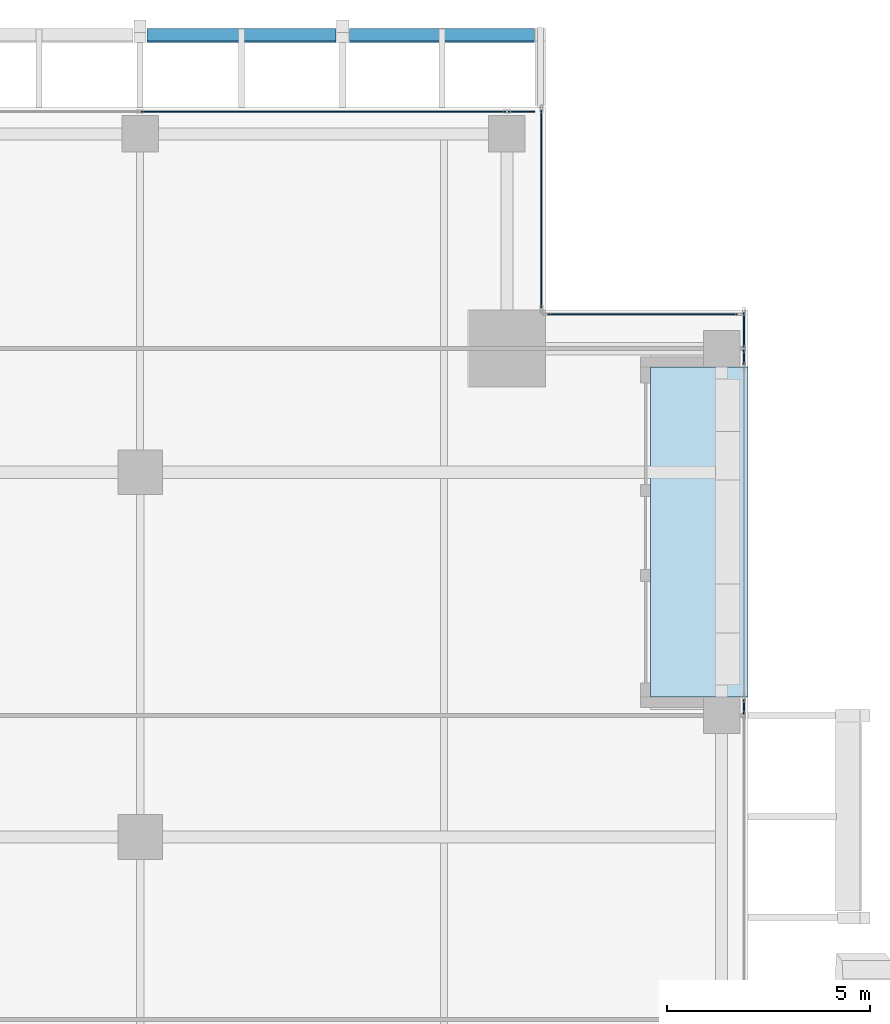
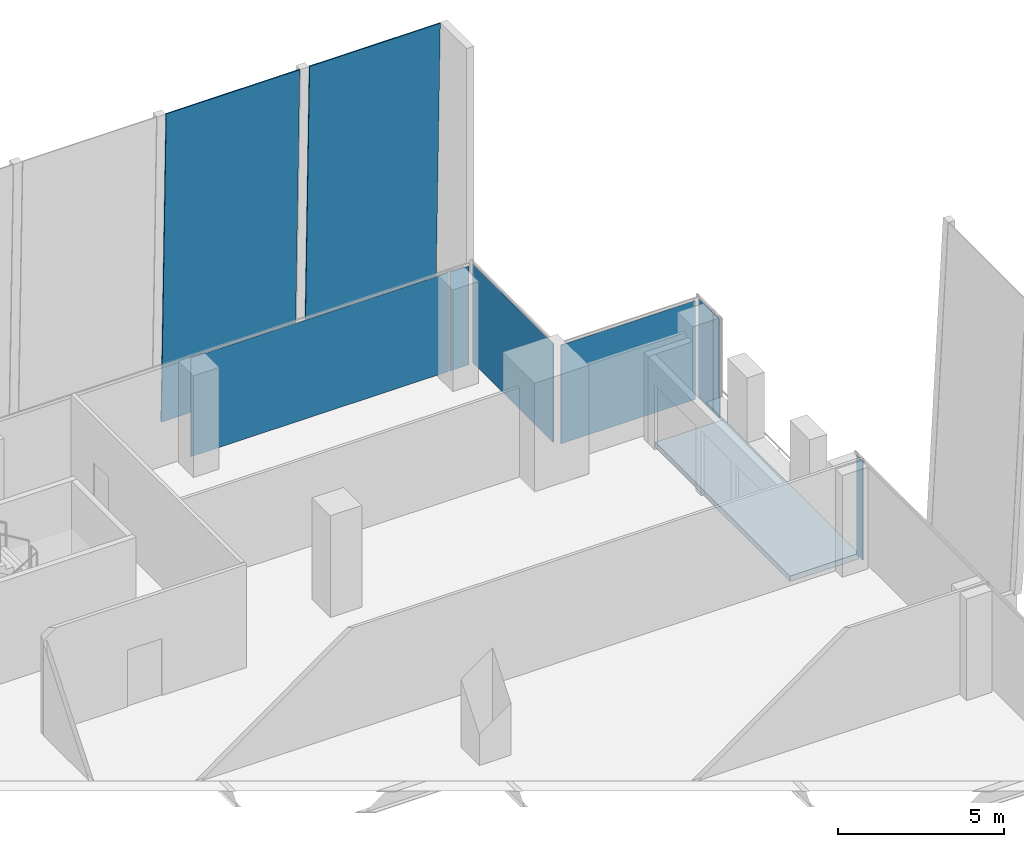
# One storey, part 27 of 35: 9 plates, 1 slab, 5 elements without a shape of their own.
"""IFC4 building model written with IfcOpenShell, lengths in metres."""

from ifc_helpers import new_model, si_unit, direction, frame, origin, origin_2d, place, context, subcontext, project, spatial, polyline, rectangle, outline, extrude, source, transform, mapped, material, layer, layer_set, type_object, element, aggregate, save


model = new_model("IFC4")

# Units and contexts
model_context = context("Model", 3, precision=1e-05, world=origin(), true_north=direction((0.0, 1.0)))
body_context = subcontext(model_context, "Body", "Model", "MODEL_VIEW")
ifc_project = project(units=[si_unit("LENGTHUNIT", "METRE"), si_unit("AREAUNIT", "SQUARE_METRE"), si_unit("VOLUMEUNIT", "CUBIC_METRE"), si_unit("PLANEANGLEUNIT", "RADIAN"), si_unit("MASSUNIT", "GRAM", prefix="KILO")], contexts=[model_context])

# Site, building, storey
site_placement = place(None, origin())
site = spatial("IfcSite", under=ifc_project, at=site_placement, CompositionType="ELEMENT")
building_placement = place(site_placement, origin())
building = spatial("IfcBuilding", under=site, at=building_placement, Name="Khomas Fold Tower", CompositionType="ELEMENT")
storey_placement = place(building_placement, frame((0.0, 0.0, 246.199951171875)))
storey = spatial("IfcBuildingStorey", under=building, at=storey_placement, Name="L55", CompositionType="ELEMENT", Elevation=246.199951171875)

# Plates
ifc_material_1 = material(Name="Clear laminated glass", Category="glass")
ifc_layer_1 = layer(ifc_material_1, 0.0400390625)
ifc_layer_set_1 = layer_set([ifc_layer_1], Name="Clear laminated glass")
plate_type_1 = type_object("IfcPlateType", Name="SK-Clear laminated glass leaf", PredefinedType="SHEET", material=ifc_layer_set_1)
plate_1_placement = place(storey_placement, frame((34.669921875, 51.450927734375, 0.0009765625), z_axis=(0.0, 0.999657230839, 0.026180543005), x_axis=(1.0, 0.0, 0.0)))
element("IfcPlate", 1, at=plate_1_placement, inside=storey, type_object=plate_type_1, Name="OUTER SKIN glass L55 N11", PredefinedType="SHEET", context=body_context, shape_type="SweptSolid", body=[
    extrude(outline(polyline([(0.0, 0.0), (4.66015625, 0.0), (4.66015625, -11.554009186164079), (0.0, -11.554009186164079), (0.0, 0.0)])), origin(), (0.0, 0.0, -1.0), 0.0400390625),
])
plate_2_placement = place(storey_placement, frame((39.669921875, 51.450927734375, 0.0009765625), z_axis=(0.0, 0.999657230839, 0.026180543005), x_axis=(1.0, 0.0, 0.0)))
element("IfcPlate", 2, at=plate_2_placement, inside=storey, type_object=plate_type_1, Name="OUTER SKIN glass L55 N13", PredefinedType="SHEET", context=body_context, shape_type="SweptSolid", body=[
    extrude(outline(polyline([(0.0, 0.0), (4.56005859375, 0.0), (4.56005859375, -11.554009186164079), (0.0, -11.554009186164079), (0.0, 0.0)])), origin(), (0.0, 0.0, -1.0), 0.0400390625),
])

# Curtain wall, plate
ifc_material_2 = material(Name="Aluminium framed double glazing", Category="aluminium")
curtain_wall_type = type_object("IfcCurtainWallType", Name="SK-Unitised clear-glass wall, office floors CW2", PredefinedType="NOTDEFINED", material=ifc_material_2)
curtain_wall_1_placement = place(storey_placement, origin())
curtain_wall_1 = element("IfcCurtainWall", 3, at=curtain_wall_1_placement, inside=storey, type_object=curtain_wall_type, Name="CW2 run L55 06-0", PredefinedType="NOTDEFINED")
ifc_material_3 = material(Name="Clear double glazed unit")
ifc_layer_2 = layer(ifc_material_3, 0.030029296875)
ifc_layer_set_2 = layer_set([ifc_layer_2], Name="Clear double glazed unit")
plate_type_2 = type_object("IfcPlateType", Name="SK-Unitised clear-glass wall, office floors glass panel CW2-P", PredefinedType="CURTAIN_PANEL", material=ifc_layer_set_2)
shared_shape_1 = source(origin(), body_context, "Body", "SweptSolid", [
    extrude(rectangle(XDim=0.659912109375, YDim=0.030029296875, at=origin_2d()), origin(), (0.0, 0.0, 1.0), 3.639892578125),
])
plate_3_placement = place(storey_placement, frame((43.909912109375, 49.39990234375, 0.0), z_axis=(0.0, 0.0, 1.0), x_axis=(-1.0, 0.0, 0.0)))
plate_3 = element("IfcPlate", 4, at=plate_3_placement, type_object=plate_type_2, Name="CW2 glass panel 1", PredefinedType="CURTAIN_PANEL", context=body_context, shape_type="MappedRepresentation", body=[
    mapped(shared_shape_1, transform((0.0, 0.0, 0.0))),
])

curtain_wall_2_placement = place(storey_placement, origin())
curtain_wall_2 = element("IfcCurtainWall", 5, at=curtain_wall_2_placement, inside=storey, type_object=curtain_wall_type, Name="CW2 run L55 03-1", PredefinedType="NOTDEFINED")
shared_shape_2 = source(origin(), body_context, "Body", "SweptSolid", [
    extrude(rectangle(XDim=0.860107421875, YDim=0.030029296875, at=origin_2d()), origin(), (0.0, 0.0, 1.0), 3.639892578125),
])
plate_4_placement = place(storey_placement, frame((49.39990234375, 44.010009765625, 0.0), z_axis=(0.0, 0.0, 1.0), x_axis=(0.0, 1.0, 0.0)))
plate_4 = element("IfcPlate", 6, at=plate_4_placement, type_object=plate_type_2, Name="CW2 glass panel 2", PredefinedType="CURTAIN_PANEL", context=body_context, shape_type="MappedRepresentation", body=[
    mapped(shared_shape_2, transform((0.0, 0.0, 0.0))),
])

# Plate
shared_shape_3 = source(origin(), body_context, "Body", "SweptSolid", [
    extrude(rectangle(XDim=8.989990234375, YDim=0.030029296875, at=origin_2d()), origin(), (0.0, 0.0, 1.0), 3.639892578125),
])
plate_5_placement = place(storey_placement, frame((39.02490234375, 49.39990234375, 0.0), z_axis=(0.0, 0.0, 1.0), x_axis=(-1.0, 0.0, 0.0)))
plate_5 = element("IfcPlate", 7, at=plate_5_placement, type_object=plate_type_2, Name="CW2 glass panel 2", PredefinedType="CURTAIN_PANEL", context=body_context, shape_type="MappedRepresentation", body=[
    mapped(shared_shape_3, transform((0.0, 0.0, 0.0))),
])

aggregate(curtain_wall_1, [plate_3, plate_5])

# Curtain wall, plate
curtain_wall_3_placement = place(storey_placement, origin())
curtain_wall_3 = element("IfcCurtainWall", 8, at=curtain_wall_3_placement, inside=storey, type_object=curtain_wall_type, Name="CW2 corner return L55 04", PredefinedType="NOTDEFINED")
shared_shape_4 = source(origin(), body_context, "Body", "SweptSolid", [
    extrude(rectangle(XDim=4.679931640625, YDim=0.030029296875, at=origin_2d()), origin(), (0.0, 0.0, 1.0), 3.639892578125),
])
plate_6_placement = place(storey_placement, frame((46.89990234375, 44.39990234375, 0.0), z_axis=(0.0, 0.0, 1.0), x_axis=(-1.0, 0.0, 0.0)))
plate_6 = element("IfcPlate", 9, at=plate_6_placement, type_object=plate_type_2, Name="CW2 glass panel 1", PredefinedType="CURTAIN_PANEL", context=body_context, shape_type="MappedRepresentation", body=[
    mapped(shared_shape_4, transform((0.0, 0.0, 0.0))),
])
aggregate(curtain_wall_3, [plate_6])

curtain_wall_4_placement = place(storey_placement, origin())
curtain_wall_4 = element("IfcCurtainWall", 10, at=curtain_wall_4_placement, inside=storey, type_object=curtain_wall_type, Name="CW2 corner return L55 05", PredefinedType="NOTDEFINED")
shared_shape_5 = source(origin(), body_context, "Body", "SweptSolid", [
    extrude(rectangle(XDim=4.8798828125, YDim=0.030029296875, at=origin_2d()), origin(), (0.0, 0.0, 1.0), 3.639892578125),
])
plate_7_placement = place(storey_placement, frame((44.39990234375, 47.0, 0.0), z_axis=(0.0, 0.0, 1.0), x_axis=(0.0, 1.0, 0.0)))
plate_7 = element("IfcPlate", 11, at=plate_7_placement, type_object=plate_type_2, Name="CW2 glass panel 1", PredefinedType="CURTAIN_PANEL", context=body_context, shape_type="MappedRepresentation", body=[
    mapped(shared_shape_5, transform((0.0, 0.0, 0.0))),
])
aggregate(curtain_wall_4, [plate_7])

curtain_wall_5_placement = place(storey_placement, origin())
curtain_wall_5 = element("IfcCurtainWall", 12, at=curtain_wall_5_placement, inside=storey, type_object=curtain_wall_type, Name="CW2 run L55 03-0", PredefinedType="NOTDEFINED")
shared_shape_6 = source(origin(), body_context, "Body", "SweptSolid", [
    extrude(rectangle(XDim=0.360107421875, YDim=0.030029296875, at=origin_2d()), origin(), (0.0, 0.0, 1.0), 3.639892578125),
])
plate_8_placement = place(storey_placement, frame((49.39990234375, 34.7099609375, 0.0), z_axis=(0.0, 0.0, 1.0), x_axis=(0.0, 1.0, 0.0)))
plate_8 = element("IfcPlate", 13, at=plate_8_placement, type_object=plate_type_2, Name="CW2 glass panel 5", PredefinedType="CURTAIN_PANEL", context=body_context, shape_type="MappedRepresentation", body=[
    mapped(shared_shape_6, transform((0.0, 0.0, 0.0))),
])
aggregate(curtain_wall_5, [plate_8])

# Plate
plate_9_placement = place(storey_placement, frame((49.39990234375, 43.340087890625, 0.0), z_axis=(0.0, 0.0, 1.0), x_axis=(0.0, 1.0, 0.0)))
plate_9 = element("IfcPlate", 14, at=plate_9_placement, type_object=plate_type_2, Name="CW2 glass panel 1", PredefinedType="CURTAIN_PANEL", context=body_context, shape_type="MappedRepresentation", body=[
    mapped(shared_shape_6, transform((0.0, 0.0, 0.0))),
])

aggregate(curtain_wall_2, [plate_9, plate_4])

# Slab
ifc_material_4 = material(Name="Concrete C40/50", Category="concrete")
ifc_layer_3 = layer(ifc_material_4, 0.205078125)
ifc_layer_set_3 = layer_set([ifc_layer_3], Name="Concrete C40/50")
slab_type = type_object("IfcSlabType", Name="BL-Balcony deck 205", PredefinedType="FLOOR", material=ifc_layer_set_3)
shared_shape_7 = source(origin(), body_context, "Body", "SweptSolid", [
    extrude(outline(polyline([(47.10009765625, 34.949951171875), (49.5, 34.949951171875), (49.5, 43.10009765625), (47.10009765625, 43.10009765625), (47.10009765625, 34.949951171875)])), origin(), (0.0, 0.0, 1.0), 0.205078125),
])
slab_placement = place(storey_placement, frame((0.0, 0.0, -0.25)))
element("IfcSlab", 15, at=slab_placement, inside=storey, type_object=slab_type, Name="Balcony deck BAL-L55-E4", PredefinedType="FLOOR", context=body_context, shape_type="MappedRepresentation", body=[
    mapped(shared_shape_7, transform((0.0, 0.0, 0.0))),
])

save(model, "model.ifc")
